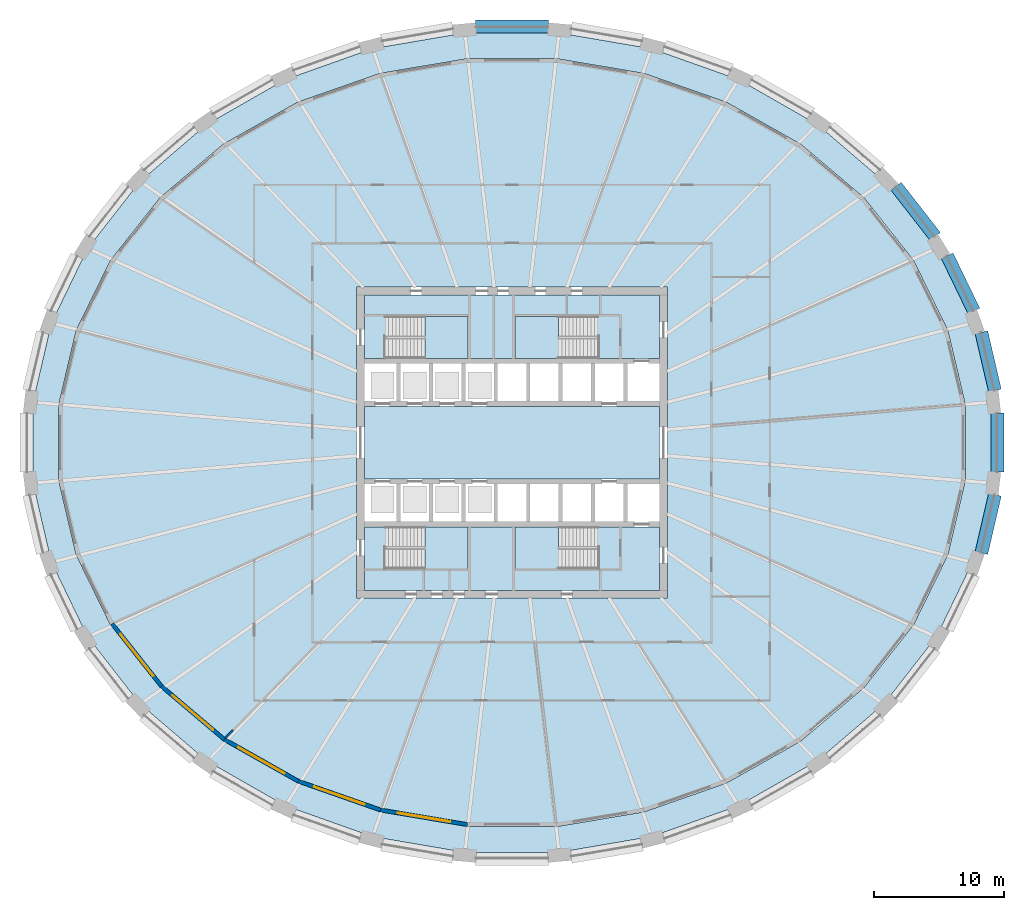
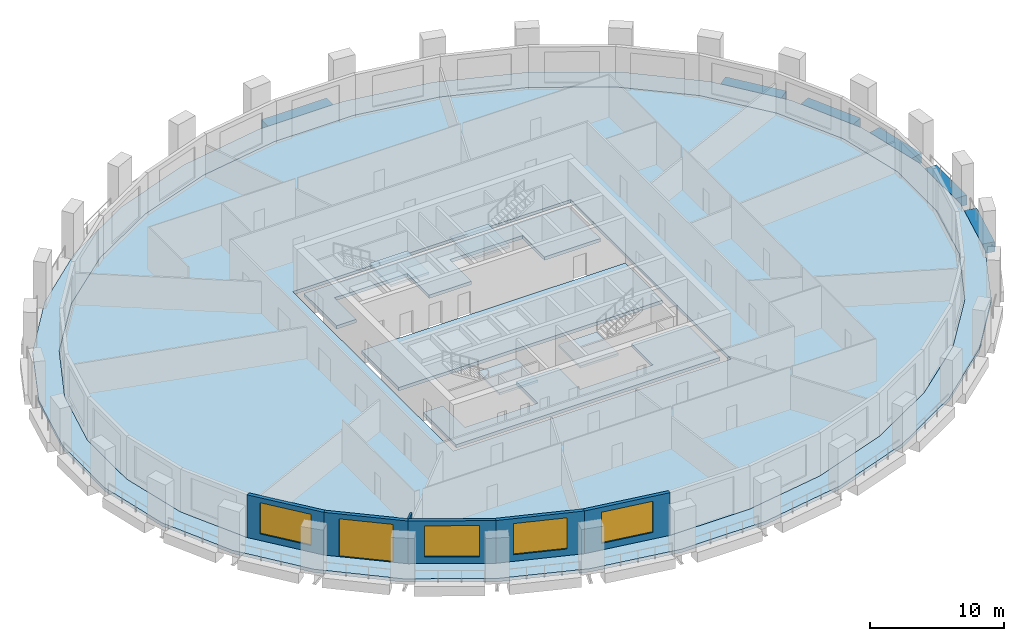
# One storey, part 2 of 11: 9 slabs, 6 beams, 6 walls, 4 windows, 1 door, 5 openings, 4 elements without a shape of their own.
"""IFC4 building model written with IfcOpenShell, lengths in metres."""

from ifc_helpers import new_model, si_unit, direction, frame, frame_2d, origin, origin_2d, place, context, subcontext, project, spatial, polyline, rectangle, outline, extrude, material, layer, layer_set, material_profile, profile_set, type_object, element, fill, aggregate, save


model = new_model("IFC4")

# Units and contexts
model_context = context("Model", 3, precision=1e-05, world=origin(), true_north=direction((0.0, 1.0)))
body_context = subcontext(model_context, "Body", "Model", "MODEL_VIEW")
ifc_project = project(units=[si_unit("LENGTHUNIT", "METRE"), si_unit("AREAUNIT", "SQUARE_METRE"), si_unit("VOLUMEUNIT", "CUBIC_METRE"), si_unit("PLANEANGLEUNIT", "RADIAN"), si_unit("MASSUNIT", "GRAM", prefix="KILO")], contexts=[model_context])

# Site, building, storey
site_placement = place(None, origin())
site = spatial("IfcSite", under=ifc_project, at=site_placement, CompositionType="ELEMENT")
building_placement = place(site_placement, origin())
building = spatial("IfcBuilding", under=site, at=building_placement, Name="Halqa Exchange Tower", CompositionType="ELEMENT")
storey_placement = place(building_placement, frame((0.0, 0.0, 44.5)))
storey = spatial("IfcBuildingStorey", under=building, at=storey_placement, Name="L09", CompositionType="ELEMENT", Elevation=44.5)

# Beams
ifc_material_1 = material(Name="Concrete C60/75", Category="concrete")
ifc_material_profile = material_profile(ifc_material_1, rectangle(XDim=1.0, YDim=0.89990234375, at=origin_2d()), Name="1000 x 900")
ifc_profile_set = profile_set([ifc_material_profile], Name="Concrete C60/75")
beam_type = type_object("IfcBeamType", Name="RC spandrel beam 1000 x 900 C60/75", PredefinedType="SPANDREL", material=ifc_profile_set)
beam_1_placement = place(storey_placement, frame((37.278076171875, 4.01953125, -0.449951171875), z_axis=(-0.226057098176, 0.974114053058, 0.0), x_axis=(-0.974114053058, -0.226057098176, 0.0)))
element("IfcBeam", 1, at=beam_1_placement, inside=storey, type_object=beam_type, Name="Spandrel 1", PredefinedType="SPANDREL", context=body_context, shape_type="SweptSolid", body=[
    extrude(rectangle(XDim=1.0, YDim=0.89990234375, at=origin_2d()), origin(), (0.0, 0.0, 1.0), 4.61474609375),
])
beam_2_placement = place(storey_placement, frame((35.65478515625, 10.159423828125, -0.449951171875), z_axis=(-0.435115053314, 0.900374861033, 0.0), x_axis=(-0.900374861033, -0.435115053314, 0.0)))
element("IfcBeam", 2, at=beam_2_placement, inside=storey, type_object=beam_type, Name="Spandrel 2", PredefinedType="SPANDREL", context=body_context, shape_type="SweptSolid", body=[
    extrude(rectangle(XDim=1.0, YDim=0.89990234375, at=origin_2d()), origin(), (0.0, 0.0, 1.0), 4.73779296875),
])
beam_3_placement = place(storey_placement, frame((32.672119140625, 15.9072265625, -0.449951171875), z_axis=(-0.614778716326, 0.788699644955, 0.0), x_axis=(-0.788699644955, -0.614778716326, 0.0)))
element("IfcBeam", 3, at=beam_3_placement, inside=storey, type_object=beam_type, Name="Spandrel 3", PredefinedType="SPANDREL", context=body_context, shape_type="SweptSolid", body=[
    extrude(rectangle(XDim=1.0, YDim=0.89990234375, at=origin_2d()), origin(), (0.0, 0.0, 1.0), 4.918701171875),
])
beam_4_placement = place(storey_placement, frame((2.816650390625, 32.122802734375, -0.449951171875), z_axis=(-1.0, 0.0, 0.0), x_axis=(0.0, -1.0, 0.0)))
element("IfcBeam", 4, at=beam_4_placement, inside=storey, type_object=beam_type, Name="Spandrel 8", PredefinedType="SPANDREL", context=body_context, shape_type="SweptSolid", body=[
    extrude(rectangle(XDim=1.0, YDim=0.89990234375, at=origin_2d()), origin(), (0.0, 0.0, 1.0), 5.63330078125),
])
beam_5_placement = place(storey_placement, frame((36.23486328125, -8.514892578125, -0.449951171875), z_axis=(0.226057098176, 0.974114053058, 0.0), x_axis=(-0.974114053058, 0.226057098176, 0.0)))
element("IfcBeam", 5, at=beam_5_placement, inside=storey, type_object=beam_type, Name="Spandrel 31", PredefinedType="SPANDREL", context=body_context, shape_type="SweptSolid", body=[
    extrude(rectangle(XDim=1.0, YDim=0.89990234375, at=origin_2d()), origin(), (0.0, 0.0, 1.0), 4.61474609375),
])
beam_6_placement = place(storey_placement, frame((37.4765625, -2.28515625, -0.449951171875), z_axis=(0.0, 1.0, 0.0), x_axis=(-1.0, 0.0, 0.0)))
element("IfcBeam", 6, at=beam_6_placement, inside=storey, type_object=beam_type, Name="Spandrel 32", PredefinedType="SPANDREL", context=body_context, shape_type="SweptSolid", body=[
    extrude(rectangle(XDim=1.0, YDim=0.89990234375, at=origin_2d()), origin(), (0.0, 0.0, 1.0), 4.5703125),
])

# Slabs
ifc_layer_1 = layer(ifc_material_1, 0.300048828125)
ifc_layer_set_1 = layer_set([ifc_layer_1], Name="Concrete C60/75")
slab_type_1 = type_object("IfcSlabType", Name="Core floor slab 300", PredefinedType="FLOOR", material=ifc_layer_set_1)
slab_1_placement = place(storey_placement, frame((0.0, 0.0, -0.300048828125)))
element("IfcSlab", 7, at=slab_1_placement, inside=storey, type_object=slab_type_1, Name="Core floor slab", PredefinedType="FLOOR", context=body_context, shape_type="SweptSolid", body=[
    extrude(outline(polyline([(-11.39990234375, 2.800048828125), (11.39990234375, 2.800048828125), (11.39990234375, -2.800048828125), (-11.39990234375, -2.800048828125), (-11.39990234375, 2.800048828125)])), origin(), (0.0, 0.0, 1.0), 0.300048828125),
])
slab_2_placement = place(storey_placement, frame((0.0, 0.0, -0.300048828125)))
element("IfcSlab", 8, at=slab_2_placement, inside=storey, type_object=slab_type_1, Name="Core floor slab", PredefinedType="FLOOR", context=body_context, shape_type="SweptSolid", body=[
    extrude(outline(polyline([(-11.39990234375, 11.39990234375), (11.39990234375, 11.39990234375), (11.39990234375, 6.5), (6.550048828125, 6.5), (6.550048828125, 9.75), (0.25, 9.75), (0.25, 6.5), (-3.39990234375, 6.5), (-3.39990234375, 9.75), (-9.699951171875, 9.75), (-9.699951171875, 6.5), (-11.39990234375, 6.5), (-11.39990234375, 11.39990234375)])), origin(), (0.0, 0.0, 1.0), 0.300048828125),
])
slab_3_placement = place(storey_placement, frame((0.0, 0.0, -0.300048828125)))
element("IfcSlab", 9, at=slab_3_placement, inside=storey, type_object=slab_type_1, Name="Core floor slab", PredefinedType="FLOOR", context=body_context, shape_type="SweptSolid", body=[
    extrude(outline(polyline([(-9.699951171875, -9.75), (-3.39990234375, -9.75), (-3.39990234375, -6.5), (0.25, -6.5), (0.25, -9.75), (6.550048828125, -9.75), (6.550048828125, -6.5), (11.39990234375, -6.5), (11.39990234375, -11.39990234375), (-11.39990234375, -11.39990234375), (-11.39990234375, -6.5), (-9.699951171875, -6.5), (-9.699951171875, -9.75)])), origin(), (0.0, 0.0, 1.0), 0.300048828125),
])
ifc_material_2 = material(Name="Concrete C40/50", Category="concrete")
ifc_layer_2 = layer(ifc_material_2, 0.300048828125)
ifc_layer_set_2 = layer_set([ifc_layer_2], Name="Concrete C40/50")
slab_type_2 = type_object("IfcSlabType", Name="RC floor slab 300", PredefinedType="FLOOR", material=ifc_layer_set_2)
slab_4_placement = place(storey_placement, frame((0.0, 0.0, -0.300048828125)))
element("IfcSlab", 10, at=slab_4_placement, inside=storey, type_object=slab_type_2, Name="Floor slab", PredefinedType="FLOOR", context=body_context, shape_type="SweptSolid", body=[
    extrude(outline(polyline([(34.989990234375, 2.92431640625), (33.64111328125, 8.65869140625), (30.997314453125, 14.056640625), (27.162109375, 18.910400390625), (22.285888671875, 23.0341796875), (16.556396484375, 26.271728515625), (10.193603515625, 28.50048828125), (3.44189453125, 29.63623046875), (-3.44189453125, 29.63623046875), (-10.193603515625, 28.50048828125), (-16.556396484375, 26.271728515625), (-22.285888671875, 23.0341796875), (-27.162109375, 18.910400390625), (-30.997314453125, 14.056640625), (-33.64111328125, 8.65869140625), (-34.989990234375, 2.92431640625), (-34.989990234375, -2.92431640625), (-33.64111328125, -8.65869140625), (-30.997314453125, -14.056640625), (-27.162109375, -18.910400390625), (-22.285888671875, -23.0341796875), (-16.556396484375, -26.271728515625), (-10.193603515625, -28.50048828125), (-3.44189453125, -29.63623046875), (3.44189453125, -29.63623046875), (10.193603515625, -28.50048828125), (16.556396484375, -26.271728515625), (22.285888671875, -23.0341796875), (27.162109375, -18.910400390625), (30.997314453125, -14.056640625), (33.64111328125, -8.65869140625), (34.989990234375, -2.92431640625), (34.989990234375, 2.92431640625)]), holes=[polyline([(-12.0, -12.0), (12.0, -12.0), (12.0, 12.0), (-12.0, 12.0), (-12.0, -12.0)])]), origin(), (0.0, 0.0, 1.0), 0.300048828125),
])
ifc_layer_3 = layer(ifc_material_2, 0.300048828125)
ifc_layer_set_3 = layer_set([ifc_layer_3], Name="Concrete C40/50")
slab_type_3 = type_object("IfcSlabType", Name="RC loggia slab 300", PredefinedType="FLOOR", material=ifc_layer_set_3)
slab_5_placement = place(storey_placement, frame((0.0, 0.0, -0.300048828125)))
element("IfcSlab", 11, at=slab_5_placement, inside=storey, type_object=slab_type_3, Name="Loggia slab", PredefinedType="FLOOR", context=body_context, shape_type="SweptSolid", body=[
    extrude(outline(polyline([(36.9765625, 3.1064453125), (36.9765625, -3.1064453125), (35.56201171875, -9.20263671875), (32.7841796875, -14.950439453125), (28.74658203125, -20.130126953125), (23.600341796875, -24.541015625), (17.542236328125, -28.010498046875), (10.804931640625, -30.402587890625), (3.648681640625, -31.622802734375), (-3.648681640625, -31.622802734375), (-10.804931640625, -30.402587890625), (-17.542236328125, -28.010498046875), (-23.600341796875, -24.541015625), (-28.74658203125, -20.130126953125), (-32.7841796875, -14.950439453125), (-35.56201171875, -9.20263671875), (-36.9765625, -3.1064453125), (-36.9765625, 3.1064453125), (-35.56201171875, 9.20263671875), (-32.7841796875, 14.950439453125), (-28.74658203125, 20.130126953125), (-23.600341796875, 24.541015625), (-17.542236328125, 28.010498046875), (-10.804931640625, 30.402587890625), (-3.648681640625, 31.622802734375), (3.648681640625, 31.622802734375), (10.804931640625, 30.402587890625), (17.542236328125, 28.010498046875), (23.600341796875, 24.541015625), (28.74658203125, 20.130126953125), (32.7841796875, 14.950439453125), (35.56201171875, 9.20263671875), (36.9765625, 3.1064453125)]), holes=[polyline([(34.989990234375, 2.92431640625), (33.64111328125, 8.65869140625), (30.997314453125, 14.056640625), (27.162109375, 18.910400390625), (22.285888671875, 23.0341796875), (16.556396484375, 26.271728515625), (10.193603515625, 28.50048828125), (3.44189453125, 29.63623046875), (-3.44189453125, 29.63623046875), (-10.193603515625, 28.50048828125), (-16.556396484375, 26.271728515625), (-22.285888671875, 23.0341796875), (-27.162109375, 18.910400390625), (-30.997314453125, 14.056640625), (-33.64111328125, 8.65869140625), (-34.989990234375, 2.92431640625), (-34.989990234375, -2.92431640625), (-33.64111328125, -8.65869140625), (-30.997314453125, -14.056640625), (-27.162109375, -18.910400390625), (-22.285888671875, -23.0341796875), (-16.556396484375, -26.271728515625), (-10.193603515625, -28.50048828125), (-3.44189453125, -29.63623046875), (3.44189453125, -29.63623046875), (10.193603515625, -28.50048828125), (16.556396484375, -26.271728515625), (22.285888671875, -23.0341796875), (27.162109375, -18.910400390625), (30.997314453125, -14.056640625), (33.64111328125, -8.65869140625), (34.989990234375, -2.92431640625), (34.989990234375, 2.92431640625)])]), origin(), (0.0, 0.0, 1.0), 0.300048828125),
])

# Stair, slab
ifc_material_3 = material(Name="Concrete C30/37", Category="concrete")
stair_type = type_object("IfcStairType", Name="Exit stair 1500 wide", PredefinedType="HALF_TURN_STAIR", material=ifc_material_3)
stair_1_placement = place(storey_placement, origin())
stair_1 = element("IfcStair", 12, at=stair_1_placement, inside=storey, type_object=stair_type, Name="Exit stair ST1", PredefinedType="HALF_TURN_STAIR")
ifc_layer_4 = layer(ifc_material_3, 0.199951171875)
ifc_layer_set_4 = layer_set([ifc_layer_4], Name="Concrete C30/37")
slab_type_4 = type_object("IfcSlabType", Name="Stair landing 200 slab", PredefinedType="LANDING", material=ifc_layer_set_4)
slab_6_placement = place(storey_placement, frame((0.0, 0.0, 1.89990234375)))
slab_6 = element("IfcSlab", 13, at=slab_6_placement, type_object=slab_type_4, Name="ST1 landing 1", PredefinedType="LANDING", context=body_context, shape_type="SweptSolid", body=[
    extrude(outline(polyline([(-6.719970703125, 6.5), (-3.39990234375, 6.5), (-3.39990234375, 9.75), (-6.719970703125, 9.75), (-6.719970703125, 6.5)])), origin(), (0.0, 0.0, 1.0), 0.2001953125),
])
aggregate(stair_1, [slab_6])

stair_2_placement = place(storey_placement, origin())
stair_2 = element("IfcStair", 14, at=stair_2_placement, inside=storey, type_object=stair_type, Name="Exit stair ST2", PredefinedType="HALF_TURN_STAIR")
slab_7_placement = place(storey_placement, frame((0.0, 0.0, 1.89990234375)))
slab_7 = element("IfcSlab", 15, at=slab_7_placement, type_object=slab_type_4, Name="ST2 landing 1", PredefinedType="LANDING", context=body_context, shape_type="SweptSolid", body=[
    extrude(outline(polyline([(0.25, 6.5), (3.570068359375, 6.5), (3.570068359375, 9.75), (0.25, 9.75), (0.25, 6.5)])), origin(), (0.0, 0.0, 1.0), 0.2001953125),
])
aggregate(stair_2, [slab_7])

stair_3_placement = place(storey_placement, origin())
stair_3 = element("IfcStair", 16, at=stair_3_placement, inside=storey, type_object=stair_type, Name="Exit stair ST3", PredefinedType="HALF_TURN_STAIR")
slab_8_placement = place(storey_placement, frame((0.0, 0.0, 1.89990234375)))
slab_8 = element("IfcSlab", 17, at=slab_8_placement, type_object=slab_type_4, Name="ST3 landing 1", PredefinedType="LANDING", context=body_context, shape_type="SweptSolid", body=[
    extrude(outline(polyline([(-6.719970703125, -9.75), (-3.39990234375, -9.75), (-3.39990234375, -6.5), (-6.719970703125, -6.5), (-6.719970703125, -9.75)])), origin(), (0.0, 0.0, 1.0), 0.2001953125),
])
aggregate(stair_3, [slab_8])

stair_4_placement = place(storey_placement, origin())
stair_4 = element("IfcStair", 18, at=stair_4_placement, inside=storey, type_object=stair_type, Name="Exit stair ST4", PredefinedType="HALF_TURN_STAIR")
slab_9_placement = place(storey_placement, frame((0.0, 0.0, 1.89990234375)))
slab_9 = element("IfcSlab", 19, at=slab_9_placement, type_object=slab_type_4, Name="ST4 landing 1", PredefinedType="LANDING", context=body_context, shape_type="SweptSolid", body=[
    extrude(outline(polyline([(0.25, -9.75), (3.570068359375, -9.75), (3.570068359375, -6.5), (0.25, -6.5), (0.25, -9.75)])), origin(), (0.0, 0.0, 1.0), 0.2001953125),
])
aggregate(stair_4, [slab_9])

# Wall
ifc_material_4 = material(Name="Fire-rated gypsum board")
ifc_layer_5 = layer(ifc_material_4, 0.14990234375)
ifc_layer_set_5 = layer_set([ifc_layer_5], Name="Fire-rated gypsum board")
wall_type_1 = type_object("IfcWallType", Name="Fire partition EI 60 150", PredefinedType="PARTITIONING", material=ifc_layer_set_5)
wall_1_placement = place(storey_placement, frame((-22.11669921875, -22.790771484375, 0.0), z_axis=(0.0, 0.0, 1.0), x_axis=(0.696613128163, 0.717446966452, 0.0)))
element("IfcWall", 20, at=wall_1_placement, inside=storey, type_object=wall_type_1, Name="L09-PWL-003", PredefinedType="PARTITIONING", context=body_context, shape_type="SweptSolid", body=[
    extrude(outline(polyline([(0.0, 0.074951171875), (0.0, 0.071044921875), (0.0048828125, 0.00048828125), (0.024658203125, -0.074951171875), (0.83203125, -0.074951171875), (0.83203125, 0.074951171875), (0.0, 0.074951171875)])), origin(), (0.0, 0.0, 1.0), 3.89990234375),
])

# Wall, opening, window
ifc_material_5 = material(Name="Limestone cladding", Category="masonry")
ifc_layer_6 = layer(ifc_material_5, 0.0400390625)
ifc_material_6 = material(Name="Ventilated cavity")
ifc_layer_7 = layer(ifc_material_6, 0.030029296875, ventilated=True)
ifc_material_7 = material(Name="Mineral wool insulation")
ifc_layer_8 = layer(ifc_material_7, 0.10009765625)
ifc_layer_9 = layer(ifc_material_3, 0.10009765625)
ifc_material_8 = material(Name="Internal plaster")
ifc_layer_10 = layer(ifc_material_8, 0.030029296875)
ifc_layer_set_6 = layer_set([ifc_layer_6, ifc_layer_7, ifc_layer_8, ifc_layer_9, ifc_layer_10], Name="Stone-faced insulated wall 300")
wall_type_2 = type_object("IfcWallType", Name="Stone-faced insulated wall 300", PredefinedType="STANDARD", material=ifc_layer_set_6)
wall_2_placement = place(storey_placement, frame((-30.869384765625, -13.976318359375, 0.0), z_axis=(0.0, 0.0, 1.0), x_axis=(0.61992334328, -0.784662378642, 0.0)))
wall_2 = element("IfcWall", 21, at=wall_2_placement, inside=storey, type_object=wall_type_2, Name="Glass-line wall 19", PredefinedType="STANDARD", context=body_context, shape_type="SweptSolid", body=[
    extrude(outline(polyline([(-0.01611328125, -0.14990234375), (6.169921875, -0.14990234375), (6.1396484375, 0.14990234375), (0.01611328125, 0.14990234375), (-0.01611328125, -0.14990234375)])), origin(), (0.0, 0.0, 1.0), 3.89990234375),
])
opening_1_placement = place(wall_2_placement, frame((1.02734375, 0.0, 0.60009765625)))
opening_1 = element("IfcOpeningElement", 22, at=opening_1_placement, cuts=wall_2, Name="Opening W-F1-19", PredefinedType="OPENING", context=body_context, shape_type="SweptSolid", body=[
    extrude(rectangle(XDim=4.10009765625, YDim=2.85009765625, at=frame_2d((2.050048828125, 1.425048828125))), frame((0.0, 0.162109375, 0.0), z_axis=(0.0, -1.0, 0.0), x_axis=(1.0, 0.0, 0.0)), (0.0, 0.0, 1.0), 0.323974609375),
])
ifc_material_9 = material(Name="Clear low-emissivity glass in aluminium frame", Category="aluminium")
window_type = type_object("IfcWindowType", Name="Fixed clear glazed window 4100 x 2850", PartitioningType="TRIPLE_PANEL_VERTICAL", PredefinedType="WINDOW", material=ifc_material_9)
window_1_placement = place(opening_1_placement, origin())
window_1 = element("IfcWindow", 23, at=window_1_placement, inside=storey, type_object=window_type, Name="Window 1", OverallHeight=2.85009765625, OverallWidth=4.10009765625, PartitioningType="TRIPLE_PANEL_VERTICAL", PredefinedType="WINDOW", context=body_context, shape_type="SweptSolid", body=[
    extrude(rectangle(XDim=4.10009765625, YDim=2.85009765625, at=frame_2d((2.050048828125, 1.425048828125))), frame((0.0, 0.030029296875, 0.0), z_axis=(0.0, -1.0, 0.0), x_axis=(1.0, 0.0, 0.0)), (0.0, 0.0, 1.0), 0.06005859375),
])
fill(opening_1, window_1)

# Wall, opening, door
wall_3_placement = place(storey_placement, frame((-27.053955078125, -18.8056640625, 0.0), z_axis=(0.0, 0.0, 1.0), x_axis=(0.763577077796, -0.645716691951, 0.0)))
wall_3 = element("IfcWall", 24, at=wall_3_placement, inside=storey, type_object=wall_type_2, Name="Glass-line wall 20", PredefinedType="STANDARD", context=body_context, shape_type="SweptSolid", body=[
    extrude(outline(polyline([(-0.01513671875, -0.14990234375), (6.371337890625, -0.14990234375), (6.343017578125, 0.14990234375), (0.01513671875, 0.14990234375), (-0.01513671875, -0.14990234375)])), origin(), (0.0, 0.0, 1.0), 3.89990234375),
])
opening_2_placement = place(wall_3_placement, frame((1.128662109375, 0.0, 0.0)))
opening_2 = element("IfcOpeningElement", 25, at=opening_2_placement, cuts=wall_3, Name="Opening LG-F1-05", PredefinedType="OPENING", context=body_context, shape_type="SweptSolid", body=[
    extrude(rectangle(XDim=4.10009765625, YDim=3.449951171875, at=frame_2d((2.050048828125, 1.72509765625))), frame((0.0, 0.162109375, 0.0), z_axis=(0.0, -1.0, 0.0), x_axis=(1.0, 0.0, 0.0)), (0.0, 0.0, 1.0), 0.323974609375),
])
door_type = type_object("IfcDoorType", Name="Glazed sliding loggia door 4100 x 3450", OperationType="DOUBLE_DOOR_SLIDING", PredefinedType="DOOR", material=ifc_material_9)
door_placement = place(opening_2_placement, origin())
door = element("IfcDoor", 26, at=door_placement, inside=storey, type_object=door_type, Name="Loggia door 5", OperationType="DOUBLE_DOOR_SLIDING", OverallHeight=3.449951171875, OverallWidth=4.10009765625, PredefinedType="DOOR", context=body_context, shape_type="SweptSolid", body=[
    extrude(rectangle(XDim=4.10009765625, YDim=3.449951171875, at=frame_2d((2.050048828125, 1.72509765625))), frame((0.0, 0.02490234375, 0.0), z_axis=(0.0, -1.0, 0.0), x_axis=(1.0, 0.0, 0.0)), (0.0, 0.0, 1.0), 0.050048828125),
])
fill(opening_2, door)

# Wall, opening, window
wall_4_placement = place(storey_placement, frame((-22.19970703125, -22.91064453125, 0.0), z_axis=(0.0, 0.0, 1.0), x_axis=(0.87061279013, -0.491968870623, 0.0)))
wall_4 = element("IfcWall", 27, at=wall_4_placement, inside=storey, type_object=wall_type_2, Name="Glass-line wall 21", PredefinedType="STANDARD", context=body_context, shape_type="SweptSolid", body=[
    extrude(outline(polyline([(-0.01416015625, -0.14990234375), (6.56689453125, -0.14990234375), (6.5400390625, 0.14990234375), (0.01416015625, 0.14990234375), (-0.01416015625, -0.14990234375)])), origin(), (0.0, 0.0, 1.0), 3.89990234375),
])
opening_3_placement = place(wall_4_placement, frame((1.226806640625, 0.0, 0.60009765625)))
opening_3 = element("IfcOpeningElement", 28, at=opening_3_placement, cuts=wall_4, Name="Opening W-F1-21", PredefinedType="OPENING", context=body_context, shape_type="SweptSolid", body=[
    extrude(rectangle(XDim=4.10009765625, YDim=2.85009765625, at=frame_2d((2.050048828125, 1.425048828125))), frame((0.0, 0.162109375, 0.0), z_axis=(0.0, -1.0, 0.0), x_axis=(1.0, 0.0, 0.0)), (0.0, 0.0, 1.0), 0.323974609375),
])
window_2_placement = place(opening_3_placement, origin())
window_2 = element("IfcWindow", 29, at=window_2_placement, inside=storey, type_object=window_type, Name="Window 1", OverallHeight=2.85009765625, OverallWidth=4.10009765625, PartitioningType="TRIPLE_PANEL_VERTICAL", PredefinedType="WINDOW", context=body_context, shape_type="SweptSolid", body=[
    extrude(rectangle(XDim=4.10009765625, YDim=2.85009765625, at=frame_2d((2.050048828125, 1.425048828125))), frame((0.0, 0.030029296875, 0.0), z_axis=(0.0, -1.0, 0.0), x_axis=(1.0, 0.0, 0.0)), (0.0, 0.0, 1.0), 0.06005859375),
])
fill(opening_3, window_2)

wall_5_placement = place(storey_placement, frame((-16.494140625, -26.134765625, 0.0), z_axis=(0.0, 0.0, 1.0), x_axis=(0.943778979427, -0.330577128657, 0.0)))
wall_5 = element("IfcWall", 30, at=wall_5_placement, inside=storey, type_object=wall_type_2, Name="Glass-line wall 22", PredefinedType="STANDARD", context=body_context, shape_type="SweptSolid", body=[
    extrude(outline(polyline([(-0.013427734375, -0.14990234375), (6.72802734375, -0.14990234375), (6.70263671875, 0.14990234375), (0.013427734375, 0.14990234375), (-0.013427734375, -0.14990234375)])), origin(), (0.0, 0.0, 1.0), 3.89990234375),
])
opening_4_placement = place(wall_5_placement, frame((1.3076171875, 0.0, 0.60009765625)))
opening_4 = element("IfcOpeningElement", 31, at=opening_4_placement, cuts=wall_5, Name="Opening W-F1-22", PredefinedType="OPENING", context=body_context, shape_type="SweptSolid", body=[
    extrude(rectangle(XDim=4.10009765625, YDim=2.85009765625, at=frame_2d((2.050048828125, 1.425048828125))), frame((0.0, 0.162109375, 0.0), z_axis=(0.0, -1.0, 0.0), x_axis=(1.0, 0.0, 0.0)), (0.0, 0.0, 1.0), 0.323974609375),
])
window_3_placement = place(opening_4_placement, origin())
window_3 = element("IfcWindow", 32, at=window_3_placement, inside=storey, type_object=window_type, Name="Window 1", OverallHeight=2.85009765625, OverallWidth=4.10009765625, PartitioningType="TRIPLE_PANEL_VERTICAL", PredefinedType="WINDOW", context=body_context, shape_type="SweptSolid", body=[
    extrude(rectangle(XDim=4.10009765625, YDim=2.85009765625, at=frame_2d((2.050048828125, 1.425048828125))), frame((0.0, 0.030029296875, 0.0), z_axis=(0.0, -1.0, 0.0), x_axis=(1.0, 0.0, 0.0)), (0.0, 0.0, 1.0), 0.06005859375),
])
fill(opening_4, window_3)

wall_6_placement = place(storey_placement, frame((-10.15625, -28.354736328125, 0.0), z_axis=(0.0, 0.0, 1.0), x_axis=(0.986145179906, -0.165884550659, 0.0)))
wall_6 = element("IfcWall", 33, at=wall_6_placement, inside=storey, type_object=wall_type_2, Name="Glass-line wall 23", PredefinedType="STANDARD", context=body_context, shape_type="SweptSolid", body=[
    extrude(outline(polyline([(-0.0126953125, -0.14990234375), (6.833984375, -0.14990234375), (6.80908203125, 0.14990234375), (0.0126953125, 0.14990234375), (-0.0126953125, -0.14990234375)])), origin(), (0.0, 0.0, 1.0), 3.89990234375),
])
opening_5_placement = place(wall_6_placement, frame((1.36083984375, 0.0, 0.60009765625)))
opening_5 = element("IfcOpeningElement", 34, at=opening_5_placement, cuts=wall_6, Name="Opening W-F1-23", PredefinedType="OPENING", context=body_context, shape_type="SweptSolid", body=[
    extrude(rectangle(XDim=4.10009765625, YDim=2.85009765625, at=frame_2d((2.050048828125, 1.425048828125))), frame((0.0, 0.162109375, 0.0), z_axis=(0.0, -1.0, 0.0), x_axis=(1.0, 0.0, 0.0)), (0.0, 0.0, 1.0), 0.323974609375),
])
window_4_placement = place(opening_5_placement, origin())
window_4 = element("IfcWindow", 35, at=window_4_placement, inside=storey, type_object=window_type, Name="Window 1", OverallHeight=2.85009765625, OverallWidth=4.10009765625, PartitioningType="TRIPLE_PANEL_VERTICAL", PredefinedType="WINDOW", context=body_context, shape_type="SweptSolid", body=[
    extrude(rectangle(XDim=4.10009765625, YDim=2.85009765625, at=frame_2d((2.050048828125, 1.425048828125))), frame((0.0, 0.030029296875, 0.0), z_axis=(0.0, -1.0, 0.0), x_axis=(1.0, 0.0, 0.0)), (0.0, 0.0, 1.0), 0.06005859375),
])
fill(opening_5, window_4)

save(model, "model.ifc")
